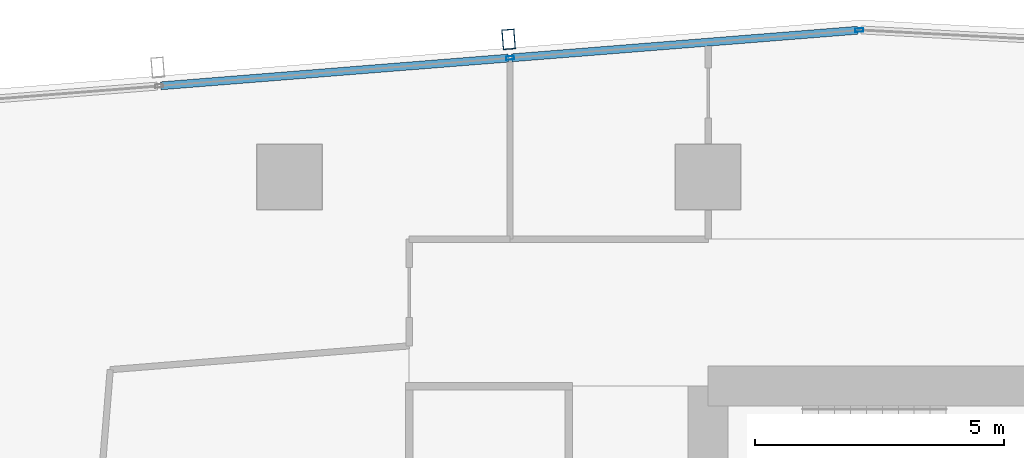
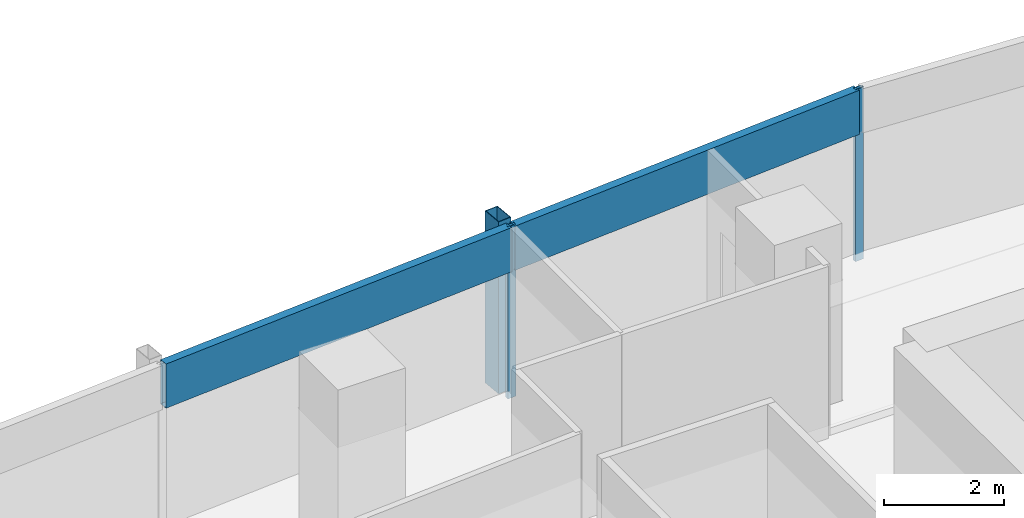
# One storey, part 16 of 30: 5 members, 1 element without a shape of its own.
"""IFC4 building model written with IfcOpenShell, lengths in metres."""

import ifcopenshell
import ifcopenshell.guid

model = None  # the IFC model being written
_history = None  # IfcOwnerHistory: only IFC2X3 demands one
_inside = {}  # id of a spatial element -> (the spatial element, [elements in it])
_under = {}  # id of a project, library or spatial element -> (it, [spatial elements below it])
_declared = {}  # id of a project -> (the project, [libraries it declares])
_typed = {}  # id of a type object -> (the type object, [elements of that type])
_made_of = {}  # id of a material, layer set ... -> (it, [elements and type objects made of it])


def new_model(schema):
    """Start an empty IFC model of exactly this schema.

    Asked for "IFC4X3", IfcOpenShell would pick the latest addendum, in which some entities
    have other attributes; the version numbers below select the first issue.
    IFC2X3 requires an IfcOwnerHistory on every rooted entity: one is made here for all.
    """
    global model, _history
    if schema == "IFC4X3":
        model = ifcopenshell.file(schema_version=(4, 3, 0, 0))
    else:
        model = ifcopenshell.file(schema=schema)
    _inside.clear()
    _under.clear()
    _declared.clear()
    _typed.clear()
    _made_of.clear()
    _history = None
    if model.schema == "IFC2X3":
        org = make("IfcOrganization", Name="unknown")
        user = make(
            "IfcPersonAndOrganization",
            ThePerson=make("IfcPerson", FamilyName="unknown"),
            TheOrganization=org,
        )
        app = make(
            "IfcApplication",
            ApplicationDeveloper=org,
            Version="unknown",
            ApplicationFullName="unknown",
            ApplicationIdentifier="unknown",
        )
        _history = make(
            "IfcOwnerHistory",
            OwningUser=user,
            OwningApplication=app,
            ChangeAction="ADDED",
            CreationDate=0,
        )
    return model


def make(cls, **values):
    """One entity of the class cls with the attributes given. An attribute that is None is left unset."""
    return model.create_entity(
        cls, **{name: value for name, value in values.items() if value is not None}
    )


def rooted(cls, **values):
    """An entity with a GlobalId (a new one), such as an element, a storey or a relation."""
    return make(cls, GlobalId=ifcopenshell.guid.new(), OwnerHistory=_history, **values)


def si_unit(unit_type, name, prefix=None):
    """IfcSIUnit, for example si_unit("LENGTHUNIT", "METRE", prefix="MILLI")."""
    return make("IfcSIUnit", UnitType=unit_type, Prefix=prefix, Name=name)


def assignment(units):
    """IfcUnitAssignment: the units of a project."""
    return None if units is None else make("IfcUnitAssignment", Units=units)


def point(xyz):
    """IfcCartesianPoint."""
    return None if xyz is None else make("IfcCartesianPoint", Coordinates=xyz)


def direction(xyz):
    """IfcDirection."""
    return None if xyz is None else make("IfcDirection", DirectionRatios=xyz)


def frame(location, z_axis=None, x_axis=None):
    """IfcAxis2Placement3D, a coordinate frame: its origin and axes. An axis left out is left unset."""
    return make(
        "IfcAxis2Placement3D",
        Location=point(location),
        Axis=direction(z_axis),
        RefDirection=direction(x_axis),
    )


def frame_2d(location, x_axis=None):
    """IfcAxis2Placement2D, a coordinate frame in the plane: its origin and x axis."""
    return make(
        "IfcAxis2Placement2D", Location=point(location), RefDirection=direction(x_axis)
    )


def origin():
    """The frame at (0, 0, 0) with its axes left unset."""
    return frame((0.0, 0.0, 0.0))


def origin_2d():
    """The frame at (0, 0) in the plane with its x axis left unset."""
    return frame_2d((0.0, 0.0))


def place(relative_to, where):
    """IfcLocalPlacement: puts the frame where relative to a parent placement (None: the world)."""
    return make(
        "IfcLocalPlacement", PlacementRelTo=relative_to, RelativePlacement=where
    )


def context(
    kind, dimensions, precision=None, world=None, true_north=None, identifier=None
):
    """IfcGeometricRepresentationContext, for example the 3D "Model" context."""
    return make(
        "IfcGeometricRepresentationContext",
        ContextIdentifier=identifier,
        ContextType=kind,
        CoordinateSpaceDimension=dimensions,
        Precision=precision,
        WorldCoordinateSystem=world,
        TrueNorth=true_north,
    )


def subcontext(parent, identifier, kind, view, scale=None):
    """IfcGeometricRepresentationSubContext, for example "Body" below "Model"."""
    return make(
        "IfcGeometricRepresentationSubContext",
        ContextIdentifier=identifier,
        ContextType=kind,
        ParentContext=parent,
        TargetScale=scale,
        TargetView=view,
    )


def project(units=None, contexts=None):
    """IfcProject with its units and contexts."""
    return rooted(
        "IfcProject",
        Name="project",
        RepresentationContexts=contexts,
        UnitsInContext=assignment(units),
    )


def spatial(cls, under=None, at=None, **own):
    """A site, building, storey or space (cls), placed at a placement, below another one or the project."""
    s = rooted(cls, ObjectPlacement=at, **own)
    if under is not None:
        _under.setdefault(under.id(), (under, []))[1].append(s)
    return s


def profile(cls, at=None, kind="AREA", **sizes):
    """A parametric profile (cls). Its sizes go by their IFC names, for example OverallWidth=200.0."""
    return make(cls, ProfileType=kind, Position=at, **sizes)


def hollow_rectangle(**sizes):
    """IfcRectangleHollowProfileDef."""
    return profile("IfcRectangleHollowProfileDef", **sizes)


def extrude(swept, where, along, depth):
    """IfcExtrudedAreaSolid: the profile swept, set in the frame where, extruded along a direction by depth."""
    return make(
        "IfcExtrudedAreaSolid",
        SweptArea=swept,
        Position=where,
        ExtrudedDirection=direction(along),
        Depth=depth,
    )


def shape(context_of_items, identifier, shape_type, items):
    """IfcShapeRepresentation: the items that make up one representation, for example the "Body"."""
    return make(
        "IfcShapeRepresentation",
        ContextOfItems=context_of_items,
        RepresentationIdentifier=identifier,
        RepresentationType=shape_type,
        Items=items,
    )


def material(Name=None, Category=None):
    """IfcMaterial."""
    return make("IfcMaterial", Name=Name, Category=Category)


def material_profile(
    of_material, cross_section, Name=None, Category=None, Priority=None
):
    """IfcMaterialProfile: a cross section and its material."""
    return make(
        "IfcMaterialProfile",
        Name=Name,
        Material=of_material,
        Profile=cross_section,
        Priority=Priority,
        Category=Category,
    )


def profile_set(profiles, Name=None, composite=None):
    """IfcMaterialProfileSet."""
    return make(
        "IfcMaterialProfileSet",
        Name=Name,
        MaterialProfiles=profiles,
        CompositeProfile=composite,
    )


def made_of(thing, what):
    """Note that an element or type object is made of a material, layer set ...; save() writes the relation."""
    if what is not None:
        _made_of.setdefault(what.id(), (what, []))[1].append(thing)
    return thing


def type_object(cls, material=None, **own):
    """A type object (cls), such as IfcWallType, which elements share."""
    return made_of(rooted(cls, **own), material)


def element(
    cls,
    number,
    at=None,
    inside=None,
    cuts=None,
    type_object=None,
    material=None,
    context=None,
    identifier="Body",
    shape_type=None,
    held_by="IfcProductDefinitionShape",
    body=None,
    shapes=None,
    **own,
):
    """One element of the class cls, such as IfcWall. Its Tag is "e" and its number.

    at: its placement. inside: the storey or other place that contains it. cuts: it is an
    opening in that element (IfcRelVoidsElement). A single representation is given by context,
    identifier, shape_type and body (its items); several are given by shapes. held_by: the class
    of the entity that holds the representations. save() writes the other relations.
    """
    e = rooted(cls, Tag="e%d" % number, ObjectPlacement=at, **own)
    if body is not None:
        shapes = [shape(context, identifier, shape_type, body)]
    if shapes is not None:
        e.Representation = make(held_by, Representations=shapes)
    if inside is not None:
        _inside.setdefault(inside.id(), (inside, []))[1].append(e)
    if cuts is not None:
        rooted(
            "IfcRelVoidsElement", RelatingBuildingElement=cuts, RelatedOpeningElement=e
        )
    if type_object is not None:
        _typed.setdefault(type_object.id(), (type_object, []))[1].append(e)
    return made_of(e, material)


def aggregate(whole, parts):
    """IfcRelAggregates: a whole, such as a stair, and the parts it consists of."""
    return rooted("IfcRelAggregates", RelatingObject=whole, RelatedObjects=parts)


def save(model, path):
    """Write the relations noted so far, then the file.

    IfcRelAggregates (storeys below a building ...), IfcRelContainedInSpatialStructure (elements
    in a storey), IfcRelDefinesByType, IfcRelAssociatesMaterial and IfcRelDeclares: one each for
    every whole, place, type object, material and project.
    """
    for whole, parts in _under.values():
        aggregate(whole, parts)
    for where, things in _inside.values():
        rooted(
            "IfcRelContainedInSpatialStructure",
            RelatedElements=things,
            RelatingStructure=where,
        )
    for kind, things in _typed.values():
        rooted("IfcRelDefinesByType", RelatedObjects=things, RelatingType=kind)
    for what, things in _made_of.values():
        rooted("IfcRelAssociatesMaterial", RelatedObjects=things, RelatingMaterial=what)
    for by, libraries in _declared.values():
        rooted("IfcRelDeclares", RelatingContext=by, RelatedDefinitions=libraries)
    model.write(path)


model = new_model("IFC4")

# Units and contexts
model_context = context("Model", 3, precision=1e-05, world=origin(), true_north=direction((0.0, 1.0)))
body_context = subcontext(model_context, "Body", "Model", "MODEL_VIEW")
ifc_project = project(units=[si_unit("LENGTHUNIT", "METRE"), si_unit("AREAUNIT", "SQUARE_METRE"), si_unit("VOLUMEUNIT", "CUBIC_METRE"), si_unit("PLANEANGLEUNIT", "RADIAN"), si_unit("MASSUNIT", "GRAM", prefix="KILO")], contexts=[model_context])

# Site, building, storey
site_placement = place(None, origin())
site = spatial("IfcSite", under=ifc_project, at=site_placement, CompositionType="ELEMENT")
building_placement = place(site_placement, origin())
building = spatial("IfcBuilding", under=site, at=building_placement, Name="Rekha Terrace Tower", CompositionType="ELEMENT")
storey_placement = place(building_placement, frame((0.0, 0.0, 272.60009765625)))
storey = spatial("IfcBuildingStorey", under=building, at=storey_placement, Name="L69", CompositionType="ELEMENT", Elevation=272.60009765625)

# Curtain wall, members
ifc_material_1 = material(Name="Aluminium framing", Category="aluminium")
curtain_wall_type = type_object("IfcCurtainWallType", Name="CW3 north unitised glazing", PredefinedType="USERDEFINED", material=ifc_material_1)
curtain_wall_placement = place(storey_placement, origin())
curtain_wall = element("IfcCurtainWall", 1, at=curtain_wall_placement, inside=storey, type_object=curtain_wall_type, Name="CW3 unitised curtain wall", ObjectType="UNITISED CURTAIN WALL", PredefinedType="USERDEFINED")
ifc_material_2 = material(Name="Steel S355 with fluorocarbon finish", Category="steel")
ifc_material_profile_1 = material_profile(ifc_material_2, hollow_rectangle(XDim=0.25, YDim=0.39990234375, WallThickness=0.012451171875, at=origin_2d()), Name="RHS400x250x12.5")
ifc_profile_set_1 = profile_set([ifc_material_profile_1], Name="Steel S355 with fluorocarbon finish")
member_type_1 = type_object("IfcMemberType", Name="BL1 facade blade RHS 400 x 250", PredefinedType="USERDEFINED", material=ifc_profile_set_1)
member_1_placement = place(storey_placement, frame((21.197021484375, 53.16162109375, 0.0), z_axis=(0.0, 0.0, 1.0), x_axis=(-0.996836012392, -0.079485623849, 0.0)))
member_1 = element("IfcMember", 2, at=member_1_placement, type_object=member_type_1, Name="Facade blade", ObjectType="FACADE BLADE", PredefinedType="USERDEFINED", context=body_context, shape_type="SweptSolid", body=[
    extrude(hollow_rectangle(XDim=0.25, YDim=0.39990234375, WallThickness=0.012451171875, at=origin_2d()), origin(), (0.0, 0.0, 1.0), 3.5),
])
ifc_material_3 = material(Name="Aluminium mullion section", Category="aluminium")
ifc_material_profile_2 = material_profile(ifc_material_3, hollow_rectangle(XDim=0.070068359375, YDim=0.159912109375, WallThickness=0.00390625, at=origin_2d()), Name="AL RHS 70x160")
ifc_profile_set_2 = profile_set([ifc_material_profile_2], Name="Aluminium mullion section")
member_type_2 = type_object("IfcMemberType", Name="CW3 mullion RHS 70 x 160", PredefinedType="MULLION", material=ifc_profile_set_2)
member_2_placement = place(storey_placement, frame((28.23779296875, 53.3466796875, 0.0), z_axis=(0.0, 0.0, 1.0), x_axis=(0.07948505154, -0.996836058026, 0.0)))
member_2 = element("IfcMember", 3, at=member_2_placement, type_object=member_type_2, Name="CW3 mullion 1", PredefinedType="MULLION", context=body_context, shape_type="SweptSolid", body=[
    extrude(hollow_rectangle(XDim=0.070068359375, YDim=0.159912109375, WallThickness=0.00390625, at=origin_2d()), origin(), (0.0, 0.0, 1.0), 3.5),
])
member_3_placement = place(storey_placement, frame((21.22705078125, 52.787841796875, 0.0), z_axis=(0.0, 0.0, 1.0), x_axis=(0.07948505154, -0.996836058026, 0.0)))
member_3 = element("IfcMember", 4, at=member_3_placement, type_object=member_type_2, Name="CW3 mullion 2", PredefinedType="MULLION", context=body_context, shape_type="SweptSolid", body=[
    extrude(hollow_rectangle(XDim=0.070068359375, YDim=0.159912109375, WallThickness=0.00390625, at=origin_2d()), origin(), (0.0, 0.0, 1.0), 3.5),
])
ifc_material_4 = material(Name="Insulated aluminium spandrel box", Category="aluminium")
ifc_material_profile_3 = material_profile(ifc_material_4, hollow_rectangle(XDim=0.159912109375, YDim=0.89990234375, WallThickness=0.0029296875, at=origin_2d()), Name="AL SPANDREL BOX 160x900")
ifc_profile_set_3 = profile_set([ifc_material_profile_3], Name="Insulated aluminium spandrel box")
member_type_3 = type_object("IfcMemberType", Name="CW3 spandrel transom 160 x 900", PredefinedType="USERDEFINED", material=ifc_profile_set_3)
member_4_placement = place(storey_placement, frame((28.202880859375, 53.343994140625, 3.0498046875), z_axis=(-0.996836091906, -0.079484626652, 0.0), x_axis=(0.079484626652, -0.996836091906, 0.0)))
member_4 = element("IfcMember", 5, at=member_4_placement, type_object=member_type_3, Name="CW3 spandrel transom 1", ObjectType="TRANSOM", PredefinedType="USERDEFINED", context=body_context, shape_type="SweptSolid", body=[
    extrude(hollow_rectangle(XDim=0.159912109375, YDim=0.89990234375, WallThickness=0.0029296875, at=origin_2d()), origin(), (0.0, 0.0, 1.0), 6.963134765625),
])
member_5_placement = place(storey_placement, frame((21.192138671875, 52.784912109375, 3.0498046875), z_axis=(-0.996837204037, -0.079470677917, 0.0), x_axis=(0.079470677917, -0.996837204037, 0.0)))
member_5 = element("IfcMember", 6, at=member_5_placement, type_object=member_type_3, Name="CW3 spandrel transom 2", ObjectType="TRANSOM", PredefinedType="USERDEFINED", context=body_context, shape_type="SweptSolid", body=[
    extrude(hollow_rectangle(XDim=0.159912109375, YDim=0.89990234375, WallThickness=0.0029296875, at=origin_2d()), origin(), (0.0, 0.0, 1.0), 6.998291015625),
])
aggregate(curtain_wall, [member_2, member_3, member_4, member_5, member_1])

save(model, "model.ifc")
